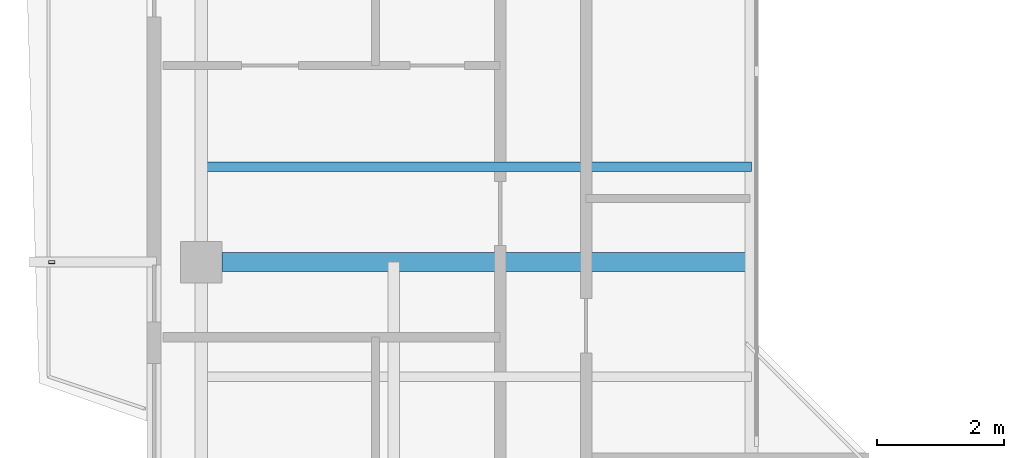
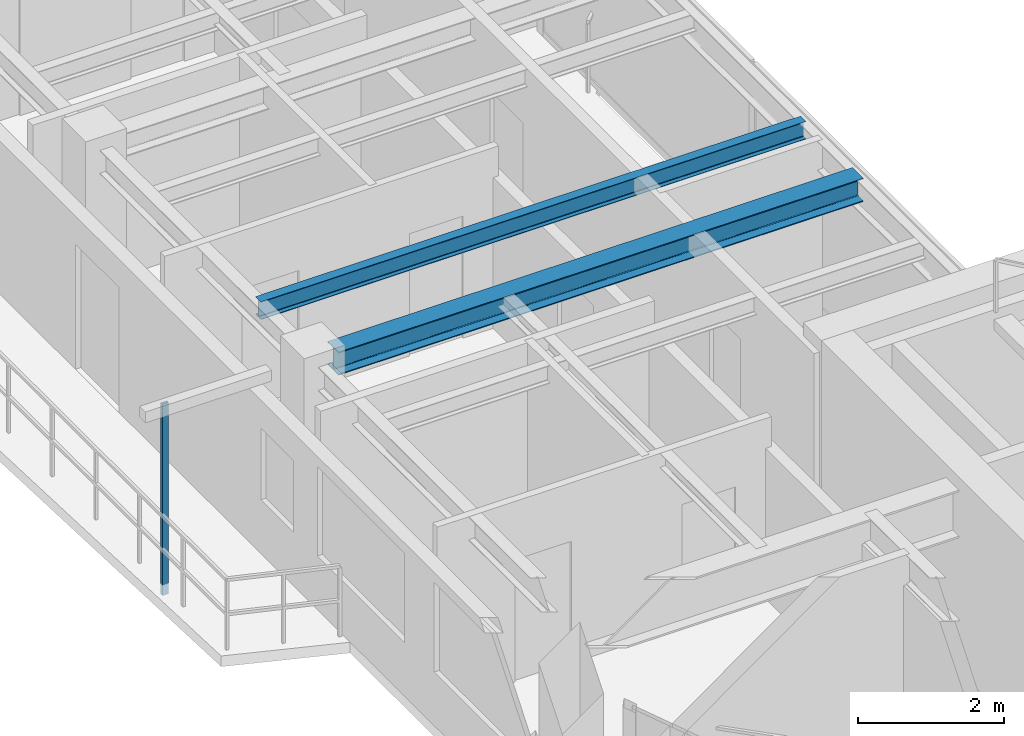
# One storey, part 3 of 14: 2 beams, 1 member.
"""IFC4 building model written with IfcOpenShell, lengths in metres."""

from ifc_helpers import new_model, si_unit, direction, frame, origin, origin_2d, place, context, subcontext, project, spatial, hollow_rectangle, i_section, extrude, source, transform, mapped, material, material_profile, profile_set, type_object, element, save


model = new_model("IFC4")

# Units and contexts
model_context = context("Model", 3, precision=1e-05, world=origin(), true_north=direction((0.0, 1.0)))
body_context = subcontext(model_context, "Body", "Model", "MODEL_VIEW")
ifc_project = project(units=[si_unit("LENGTHUNIT", "METRE"), si_unit("AREAUNIT", "SQUARE_METRE"), si_unit("VOLUMEUNIT", "CUBIC_METRE"), si_unit("PLANEANGLEUNIT", "RADIAN"), si_unit("MASSUNIT", "GRAM", prefix="KILO"), si_unit("THERMODYNAMICTEMPERATUREUNIT", "KELVIN"), si_unit("POWERUNIT", "WATT")], contexts=[model_context])

# Site, building, storey
site_placement = place(None, origin())
site = spatial("IfcSite", under=ifc_project, at=site_placement, CompositionType="ELEMENT")
building_placement = place(site_placement, origin())
building = spatial("IfcBuilding", under=site, at=building_placement, Name="Qiaomeng Ring Towers", CompositionType="ELEMENT")
storey_placement = place(building_placement, frame((0.0, 0.0, 260.0)))
storey = spatial("IfcBuildingStorey", under=building, at=storey_placement, Name="L76", CompositionType="ELEMENT", Elevation=260.0)

# Beams
ifc_material_1 = material(Name="Steel Q355B", Category="steel")
ifc_material_profile_1 = material_profile(ifc_material_1, i_section(OverallWidth=0.300048828125, OverallDepth=0.389892578125, WebThickness=0.010009765625, FlangeThickness=0.01611328125, FilletRadius=0.02197265625, at=origin_2d()), Name="HM 390x300x10x16")
ifc_profile_set_1 = profile_set([ifc_material_profile_1], Name="Steel Q355B")
beam_type_1 = type_object("IfcBeamType", Name="STR-BM-HM390", PredefinedType="BEAM", material=ifc_profile_set_1)
shared_shape_1 = source(origin(), body_context, "Body", "SweptSolid", [
    extrude(i_section(OverallWidth=0.300048828125, OverallDepth=0.389892578125, WebThickness=0.010009765625, FlangeThickness=0.01611328125, FilletRadius=0.02197265625, at=origin_2d()), origin(), (0.0, 0.0, 1.0), 8.325927734375),
])
beam_1_placement = place(storey_placement, frame((4.47412109375, 20.0, 2.8349609375), z_axis=(1.0, 0.0, 0.0), x_axis=(0.0, 1.0, 0.0)))
element("IfcBeam", 1, at=beam_1_placement, inside=storey, type_object=beam_type_1, Name="L76 beam STR-BM-L76-T1-RAD-W2", PredefinedType="BEAM", context=body_context, shape_type="MappedRepresentation", body=[
    mapped(shared_shape_1, transform((0.0, 0.0, 0.0), x_axis=(1.0, 0.0, 0.0), y_axis=(0.0, 1.0, 0.0), z_axis=(0.0, 0.0, 1.0), scale=1.0)),
])
ifc_material_profile_2 = material_profile(ifc_material_1, i_section(OverallWidth=0.14990234375, OverallDepth=0.300048828125, WebThickness=0.006591796875, FlangeThickness=0.009033203125, FilletRadius=0.012939453125, at=origin_2d()), Name="HN 300x150x6.5x9")
ifc_profile_set_2 = profile_set([ifc_material_profile_2], Name="Steel Q355B")
beam_type_2 = type_object("IfcBeamType", Name="STR-BM-HN300", PredefinedType="JOIST", material=ifc_profile_set_2)
shared_shape_2 = source(origin(), body_context, "Body", "SweptSolid", [
    extrude(i_section(OverallWidth=0.14990234375, OverallDepth=0.300048828125, WebThickness=0.006591796875, FlangeThickness=0.009033203125, FilletRadius=0.012939453125, at=origin_2d()), origin(), (0.0, 0.0, 1.0), 8.650146484375),
])
beam_2_placement = place(storey_placement, frame((4.14990234375, 21.5, 2.8798828125), z_axis=(1.0, 0.0, 0.0), x_axis=(0.0, 1.0, 0.0)))
element("IfcBeam", 2, at=beam_2_placement, inside=storey, type_object=beam_type_2, Name="L76 beam STR-JST-L76-T1W-2", PredefinedType="JOIST", context=body_context, shape_type="MappedRepresentation", body=[
    mapped(shared_shape_2, transform((0.0, 0.0, 0.0), x_axis=(1.0, 0.0, 0.0), y_axis=(0.0, 1.0, 0.0), z_axis=(0.0, 0.0, 1.0), scale=1.0)),
])

# Member
ifc_material_2 = material(Name="Stainless steel 316", Category="steel")
ifc_material_profile_3 = material_profile(ifc_material_2, hollow_rectangle(XDim=0.050048828125, YDim=0.10009765625, WallThickness=0.00390625, at=origin_2d()), Name="SS TRELLIS 100x50")
ifc_profile_set_3 = profile_set([ifc_material_profile_3], Name="Stainless steel 316")
member_type = type_object("IfcMemberType", Name="ARC-TR-POST2", PredefinedType="STUD", material=ifc_profile_set_3)
shared_shape_3 = source(origin(), body_context, "Body", "SweptSolid", [
    extrude(hollow_rectangle(XDim=0.050048828125, YDim=0.10009765625, WallThickness=0.00390625, at=origin_2d()), origin(), (0.0, 0.0, 1.0), 3.2099609375),
])
member_placement = place(storey_placement, frame((1.800048828125, 20.0, -0.179931640625), z_axis=(0.0, 0.0, 1.0), x_axis=(0.0, 1.0, 0.0)))
element("IfcMember", 3, at=member_placement, inside=storey, type_object=member_type, Name="L76 Outer Ventilated Trellis Post W", PredefinedType="STUD", context=body_context, shape_type="MappedRepresentation", body=[
    mapped(shared_shape_3, transform((0.0, 0.0, 0.0), x_axis=(1.0, 0.0, 0.0), y_axis=(0.0, 1.0, 0.0), z_axis=(0.0, 0.0, 1.0), scale=1.0)),
])

save(model, "model.ifc")
